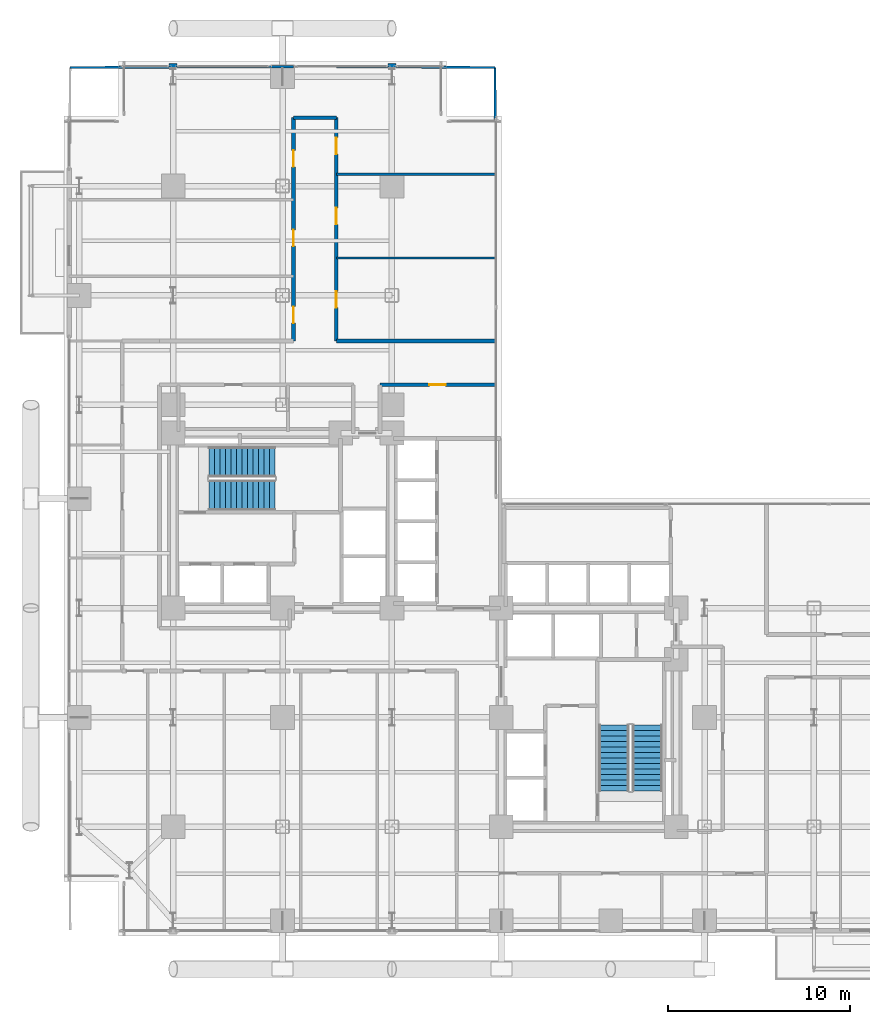
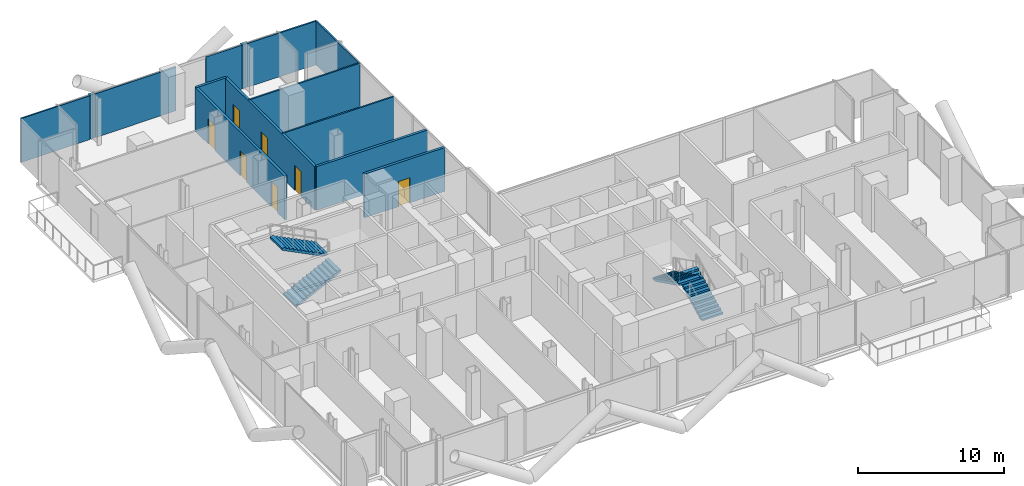
# One storey, part 24 of 27: 14 walls, 7 doors, 4 stair flights, 7 openings, 2 elements without a shape of their own.
"""IFC4 building model written with IfcOpenShell, lengths in metres."""

import ifcopenshell
import ifcopenshell.guid

model = None  # the IFC model being written
_history = None  # IfcOwnerHistory: only IFC2X3 demands one
_inside = {}  # id of a spatial element -> (the spatial element, [elements in it])
_under = {}  # id of a project, library or spatial element -> (it, [spatial elements below it])
_declared = {}  # id of a project -> (the project, [libraries it declares])
_typed = {}  # id of a type object -> (the type object, [elements of that type])
_made_of = {}  # id of a material, layer set ... -> (it, [elements and type objects made of it])


def new_model(schema):
    """Start an empty IFC model of exactly this schema.

    Asked for "IFC4X3", IfcOpenShell would pick the latest addendum, in which some entities
    have other attributes; the version numbers below select the first issue.
    IFC2X3 requires an IfcOwnerHistory on every rooted entity: one is made here for all.
    """
    global model, _history
    if schema == "IFC4X3":
        model = ifcopenshell.file(schema_version=(4, 3, 0, 0))
    else:
        model = ifcopenshell.file(schema=schema)
    _inside.clear()
    _under.clear()
    _declared.clear()
    _typed.clear()
    _made_of.clear()
    _history = None
    if model.schema == "IFC2X3":
        org = make("IfcOrganization", Name="unknown")
        user = make(
            "IfcPersonAndOrganization",
            ThePerson=make("IfcPerson", FamilyName="unknown"),
            TheOrganization=org,
        )
        app = make(
            "IfcApplication",
            ApplicationDeveloper=org,
            Version="unknown",
            ApplicationFullName="unknown",
            ApplicationIdentifier="unknown",
        )
        _history = make(
            "IfcOwnerHistory",
            OwningUser=user,
            OwningApplication=app,
            ChangeAction="ADDED",
            CreationDate=0,
        )
    return model


def make(cls, **values):
    """One entity of the class cls with the attributes given. An attribute that is None is left unset."""
    return model.create_entity(
        cls, **{name: value for name, value in values.items() if value is not None}
    )


def rooted(cls, **values):
    """An entity with a GlobalId (a new one), such as an element, a storey or a relation."""
    return make(cls, GlobalId=ifcopenshell.guid.new(), OwnerHistory=_history, **values)


def si_unit(unit_type, name, prefix=None):
    """IfcSIUnit, for example si_unit("LENGTHUNIT", "METRE", prefix="MILLI")."""
    return make("IfcSIUnit", UnitType=unit_type, Prefix=prefix, Name=name)


def assignment(units):
    """IfcUnitAssignment: the units of a project."""
    return None if units is None else make("IfcUnitAssignment", Units=units)


def point(xyz):
    """IfcCartesianPoint."""
    return None if xyz is None else make("IfcCartesianPoint", Coordinates=xyz)


def direction(xyz):
    """IfcDirection."""
    return None if xyz is None else make("IfcDirection", DirectionRatios=xyz)


def frame(location, z_axis=None, x_axis=None):
    """IfcAxis2Placement3D, a coordinate frame: its origin and axes. An axis left out is left unset."""
    return make(
        "IfcAxis2Placement3D",
        Location=point(location),
        Axis=direction(z_axis),
        RefDirection=direction(x_axis),
    )


def frame_2d(location, x_axis=None):
    """IfcAxis2Placement2D, a coordinate frame in the plane: its origin and x axis."""
    return make(
        "IfcAxis2Placement2D", Location=point(location), RefDirection=direction(x_axis)
    )


def origin():
    """The frame at (0, 0, 0) with its axes left unset."""
    return frame((0.0, 0.0, 0.0))


def place(relative_to, where):
    """IfcLocalPlacement: puts the frame where relative to a parent placement (None: the world)."""
    return make(
        "IfcLocalPlacement", PlacementRelTo=relative_to, RelativePlacement=where
    )


def context(
    kind, dimensions, precision=None, world=None, true_north=None, identifier=None
):
    """IfcGeometricRepresentationContext, for example the 3D "Model" context."""
    return make(
        "IfcGeometricRepresentationContext",
        ContextIdentifier=identifier,
        ContextType=kind,
        CoordinateSpaceDimension=dimensions,
        Precision=precision,
        WorldCoordinateSystem=world,
        TrueNorth=true_north,
    )


def subcontext(parent, identifier, kind, view, scale=None):
    """IfcGeometricRepresentationSubContext, for example "Body" below "Model"."""
    return make(
        "IfcGeometricRepresentationSubContext",
        ContextIdentifier=identifier,
        ContextType=kind,
        ParentContext=parent,
        TargetScale=scale,
        TargetView=view,
    )


def project(units=None, contexts=None):
    """IfcProject with its units and contexts."""
    return rooted(
        "IfcProject",
        Name="project",
        RepresentationContexts=contexts,
        UnitsInContext=assignment(units),
    )


def spatial(cls, under=None, at=None, **own):
    """A site, building, storey or space (cls), placed at a placement, below another one or the project."""
    s = rooted(cls, ObjectPlacement=at, **own)
    if under is not None:
        _under.setdefault(under.id(), (under, []))[1].append(s)
    return s


def polyline(points):
    """IfcPolyline through the points."""
    return make("IfcPolyline", Points=[point(p) for p in points])


def profile(cls, at=None, kind="AREA", **sizes):
    """A parametric profile (cls). Its sizes go by their IFC names, for example OverallWidth=200.0."""
    return make(cls, ProfileType=kind, Position=at, **sizes)


def rectangle(**sizes):
    """IfcRectangleProfileDef."""
    return profile("IfcRectangleProfileDef", **sizes)


def outline(outer, holes=None, kind="AREA"):
    """IfcArbitraryClosedProfileDef: a profile drawn as a closed curve; with holes, ...WithVoids."""
    if holes is None:
        return make("IfcArbitraryClosedProfileDef", ProfileType=kind, OuterCurve=outer)
    return make(
        "IfcArbitraryProfileDefWithVoids",
        ProfileType=kind,
        OuterCurve=outer,
        InnerCurves=holes,
    )


def extrude(swept, where, along, depth):
    """IfcExtrudedAreaSolid: the profile swept, set in the frame where, extruded along a direction by depth."""
    return make(
        "IfcExtrudedAreaSolid",
        SweptArea=swept,
        Position=where,
        ExtrudedDirection=direction(along),
        Depth=depth,
    )


def shape(context_of_items, identifier, shape_type, items):
    """IfcShapeRepresentation: the items that make up one representation, for example the "Body"."""
    return make(
        "IfcShapeRepresentation",
        ContextOfItems=context_of_items,
        RepresentationIdentifier=identifier,
        RepresentationType=shape_type,
        Items=items,
    )


def material(Name=None, Category=None):
    """IfcMaterial."""
    return make("IfcMaterial", Name=Name, Category=Category)


def layer(
    of_material, thickness, ventilated=None, Name=None, Category=None, Priority=None
):
    """IfcMaterialLayer: one layer of a wall or slab, of a material (None: an air gap)."""
    return make(
        "IfcMaterialLayer",
        Material=of_material,
        LayerThickness=thickness,
        IsVentilated=ventilated,
        Name=Name,
        Category=Category,
        Priority=Priority,
    )


def layer_set(layers, Name=None):
    """IfcMaterialLayerSet."""
    return make("IfcMaterialLayerSet", MaterialLayers=layers, LayerSetName=Name)


def made_of(thing, what):
    """Note that an element or type object is made of a material, layer set ...; save() writes the relation."""
    if what is not None:
        _made_of.setdefault(what.id(), (what, []))[1].append(thing)
    return thing


def type_object(cls, material=None, **own):
    """A type object (cls), such as IfcWallType, which elements share."""
    return made_of(rooted(cls, **own), material)


def element(
    cls,
    number,
    at=None,
    inside=None,
    cuts=None,
    type_object=None,
    material=None,
    context=None,
    identifier="Body",
    shape_type=None,
    held_by="IfcProductDefinitionShape",
    body=None,
    shapes=None,
    **own,
):
    """One element of the class cls, such as IfcWall. Its Tag is "e" and its number.

    at: its placement. inside: the storey or other place that contains it. cuts: it is an
    opening in that element (IfcRelVoidsElement). A single representation is given by context,
    identifier, shape_type and body (its items); several are given by shapes. held_by: the class
    of the entity that holds the representations. save() writes the other relations.
    """
    e = rooted(cls, Tag="e%d" % number, ObjectPlacement=at, **own)
    if body is not None:
        shapes = [shape(context, identifier, shape_type, body)]
    if shapes is not None:
        e.Representation = make(held_by, Representations=shapes)
    if inside is not None:
        _inside.setdefault(inside.id(), (inside, []))[1].append(e)
    if cuts is not None:
        rooted(
            "IfcRelVoidsElement", RelatingBuildingElement=cuts, RelatedOpeningElement=e
        )
    if type_object is not None:
        _typed.setdefault(type_object.id(), (type_object, []))[1].append(e)
    return made_of(e, material)


def fill(opening, filler):
    """IfcRelFillsElement: the door or window that sits in an opening."""
    return rooted(
        "IfcRelFillsElement",
        RelatingOpeningElement=opening,
        RelatedBuildingElement=filler,
    )


def aggregate(whole, parts):
    """IfcRelAggregates: a whole, such as a stair, and the parts it consists of."""
    return rooted("IfcRelAggregates", RelatingObject=whole, RelatedObjects=parts)


def save(model, path):
    """Write the relations noted so far, then the file.

    IfcRelAggregates (storeys below a building ...), IfcRelContainedInSpatialStructure (elements
    in a storey), IfcRelDefinesByType, IfcRelAssociatesMaterial and IfcRelDeclares: one each for
    every whole, place, type object, material and project.
    """
    for whole, parts in _under.values():
        aggregate(whole, parts)
    for where, things in _inside.values():
        rooted(
            "IfcRelContainedInSpatialStructure",
            RelatedElements=things,
            RelatingStructure=where,
        )
    for kind, things in _typed.values():
        rooted("IfcRelDefinesByType", RelatedObjects=things, RelatingType=kind)
    for what, things in _made_of.values():
        rooted("IfcRelAssociatesMaterial", RelatedObjects=things, RelatingMaterial=what)
    for by, libraries in _declared.values():
        rooted("IfcRelDeclares", RelatingContext=by, RelatedDefinitions=libraries)
    model.write(path)


model = new_model("IFC4")

# Units and contexts
model_context = context("Model", 3, precision=1e-05, world=origin(), true_north=direction((0.0, 1.0)))
body_context = subcontext(model_context, "Body", "Model", "MODEL_VIEW")
ifc_project = project(units=[si_unit("LENGTHUNIT", "METRE"), si_unit("AREAUNIT", "SQUARE_METRE"), si_unit("VOLUMEUNIT", "CUBIC_METRE"), si_unit("PLANEANGLEUNIT", "RADIAN"), si_unit("MASSUNIT", "GRAM", prefix="KILO"), si_unit("THERMODYNAMICTEMPERATUREUNIT", "KELVIN"), si_unit("POWERUNIT", "WATT")], contexts=[model_context])

# Site, building, storey
site_placement = place(None, origin())
site = spatial("IfcSite", under=ifc_project, at=site_placement, CompositionType="ELEMENT")
building_placement = place(site_placement, origin())
building = spatial("IfcBuilding", under=site, at=building_placement, Name="Svarakhadi Broadcast Tower", CompositionType="ELEMENT")
storey_placement = place(building_placement, frame((0.0, 0.0, 44.10009765625)))
storey = spatial("IfcBuildingStorey", under=building, at=storey_placement, Name="L09", CompositionType="ELEMENT", Elevation=44.10009765625)

# Wall, openings, doors
ifc_material_1 = material(Name="Double-Stud Acoustic Studio Partition STC-62", Category="gypsum")
ifc_layer_1 = layer(ifc_material_1, 0.199951171875)
ifc_layer_set_1 = layer_set([ifc_layer_1], Name="Double-Stud Acoustic Studio Partition STC-62")
wall_type_1 = type_object("IfcWallType", Name="Wall_Acoust_200", PredefinedType="PARTITIONING", material=ifc_layer_set_1)
wall_1_placement = place(storey_placement, frame((12.60009765625, 32.64990234375, 0.0), z_axis=(0.0, 0.0, 1.0), x_axis=(0.0, 1.0, 0.0)))
wall_1 = element("IfcWall", 1, at=wall_1_placement, inside=storey, type_object=wall_type_1, Name="L09 Broadcast Corridor Wall", PredefinedType="PARTITIONING", context=body_context, shape_type="SweptSolid", body=[
    extrude(rectangle(XDim=12.25, YDim=0.199951171875, at=frame_2d((6.125, 0.0))), origin(), (0.0, 0.0, 1.0), 3.64990234375),
])
opening_1_placement = place(wall_1_placement, frame((0.97998046875, 0.0, 0.0)))
opening_1 = element("IfcOpeningElement", 2, at=opening_1_placement, cuts=wall_1, Name="Opening D-14", PredefinedType="OPENING", context=body_context, shape_type="SweptSolid", body=[
    extrude(rectangle(XDim=0.89990234375, YDim=2.10009765625, at=frame_2d((0.449951171875, 1.050048828125))), frame((0.0, 0.10986328125, 0.0), z_axis=(0.0, -1.0, 0.0), x_axis=(1.0, 0.0, 0.0)), (0.0, 0.0, 1.0), 0.219970703125),
])
opening_2_placement = place(wall_1_placement, frame((5.199951171875, 0.0, 0.0)))
opening_2 = element("IfcOpeningElement", 3, at=opening_2_placement, cuts=wall_1, Name="Opening D-14", PredefinedType="OPENING", context=body_context, shape_type="SweptSolid", body=[
    extrude(rectangle(XDim=0.89990234375, YDim=2.10009765625, at=frame_2d((0.449951171875, 1.050048828125))), frame((0.0, 0.10986328125, 0.0), z_axis=(0.0, -1.0, 0.0), x_axis=(1.0, 0.0, 0.0)), (0.0, 0.0, 1.0), 0.219970703125),
])
opening_3_placement = place(wall_1_placement, frame((9.550048828125, 0.0, 0.0)))
opening_3 = element("IfcOpeningElement", 4, at=opening_3_placement, cuts=wall_1, Name="Opening D-15", PredefinedType="OPENING", context=body_context, shape_type="SweptSolid", body=[
    extrude(rectangle(XDim=0.89990234375, YDim=2.10009765625, at=frame_2d((0.449951171875, 1.050048828125))), frame((0.0, 0.10986328125, 0.0), z_axis=(0.0, -1.0, 0.0), x_axis=(1.0, 0.0, 0.0)), (0.0, 0.0, 1.0), 0.219970703125),
])
ifc_material_2 = material(Name="Solid-Core Teak Veneer Acoustic Timber Leaf", Category="wood")
door_type_1 = type_object("IfcDoorType", Name="Door_Int_D14", OperationType="SINGLE_SWING_LEFT", PredefinedType="DOOR", material=ifc_material_2)
door_1_placement = place(opening_1_placement, origin())
door_1 = element("IfcDoor", 5, at=door_1_placement, inside=storey, type_object=door_type_1, Name="L09 Sound Foley Room Door", OperationType="SINGLE_SWING_LEFT", OverallHeight=2.10009765625, OverallWidth=0.89990234375, PredefinedType="DOOR", context=body_context, shape_type="SweptSolid", body=[
    extrude(rectangle(XDim=0.89990234375, YDim=2.10009765625, at=frame_2d((0.449951171875, 1.050048828125))), frame((0.0, 0.02490234375, 0.0), z_axis=(0.0, -1.0, 0.0), x_axis=(1.0, 0.0, 0.0)), (0.0, 0.0, 1.0), 0.050048828125),
])
fill(opening_1, door_1)
door_2_placement = place(opening_2_placement, origin())
door_2 = element("IfcDoor", 6, at=door_2_placement, inside=storey, type_object=door_type_1, Name="L09 ADR Vocal Room Door", OperationType="SINGLE_SWING_LEFT", OverallHeight=2.10009765625, OverallWidth=0.89990234375, PredefinedType="DOOR", context=body_context, shape_type="SweptSolid", body=[
    extrude(rectangle(XDim=0.89990234375, YDim=2.10009765625, at=frame_2d((0.449951171875, 1.050048828125))), frame((0.0, 0.02490234375, 0.0), z_axis=(0.0, -1.0, 0.0), x_axis=(1.0, 0.0, 0.0)), (0.0, 0.0, 1.0), 0.050048828125),
])
fill(opening_2, door_2)
door_type_2 = type_object("IfcDoorType", Name="Door_Int_D15", OperationType="SINGLE_SWING_RIGHT", PredefinedType="DOOR", material=ifc_material_2)
door_3_placement = place(opening_3_placement, origin())
door_3 = element("IfcDoor", 7, at=door_3_placement, inside=storey, type_object=door_type_2, Name="L09 Mastering Studio Door", OperationType="SINGLE_SWING_RIGHT", OverallHeight=2.10009765625, OverallWidth=0.89990234375, PredefinedType="DOOR", context=body_context, shape_type="SweptSolid", body=[
    extrude(rectangle(XDim=0.89990234375, YDim=2.10009765625, at=frame_2d((0.449951171875, 1.050048828125))), frame((0.0, 0.02490234375, 0.0), z_axis=(0.0, -1.0, 0.0), x_axis=(1.0, 0.0, 0.0)), (0.0, 0.0, 1.0), 0.050048828125),
])
fill(opening_3, door_3)

# Wall
wall_2_placement = place(storey_placement, frame((12.60009765625, 44.89990234375, 0.0), z_axis=(0.0, 0.0, 1.0), x_axis=(1.0, 0.0, 0.0)))
element("IfcWall", 8, at=wall_2_placement, inside=storey, type_object=wall_type_1, Name="L09 Broadcast Corridor Wall", PredefinedType="PARTITIONING", context=body_context, shape_type="SweptSolid", body=[
    extrude(rectangle(XDim=2.349853515625, YDim=0.199951171875, at=frame_2d((1.1748046875, 0.0))), origin(), (0.0, 0.0, 1.0), 3.64990234375),
])

# Wall, openings, doors
wall_3_placement = place(storey_placement, frame((14.949951171875, 44.89990234375, 0.0), z_axis=(0.0, 0.0, 1.0), x_axis=(0.0, -1.0, 0.0)))
wall_3 = element("IfcWall", 9, at=wall_3_placement, inside=storey, type_object=wall_type_1, Name="L09 Broadcast Corridor Wall", PredefinedType="PARTITIONING", context=body_context, shape_type="SweptSolid", body=[
    extrude(rectangle(XDim=12.25, YDim=0.199951171875, at=frame_2d((6.125, 0.0))), origin(), (0.0, 0.0, 1.0), 3.64990234375),
])
opening_4_placement = place(wall_3_placement, frame((9.52490234375, 0.0, 0.0)))
opening_4 = element("IfcOpeningElement", 10, at=opening_4_placement, cuts=wall_3, Name="Opening D-14", PredefinedType="OPENING", context=body_context, shape_type="SweptSolid", body=[
    extrude(rectangle(XDim=0.89990234375, YDim=2.10009765625, at=frame_2d((0.449951171875, 1.050048828125))), frame((0.0, 0.10986328125, 0.0), z_axis=(0.0, -1.0, 0.0), x_axis=(1.0, 0.0, 0.0)), (0.0, 0.0, 1.0), 0.219970703125),
])
opening_5_placement = place(wall_3_placement, frame((4.949951171875, 0.0, 0.0)))
opening_5 = element("IfcOpeningElement", 11, at=opening_5_placement, cuts=wall_3, Name="Opening D-15", PredefinedType="OPENING", context=body_context, shape_type="SweptSolid", body=[
    extrude(rectangle(XDim=0.89990234375, YDim=2.10009765625, at=frame_2d((0.449951171875, 1.050048828125))), frame((0.0, 0.10986328125, 0.0), z_axis=(0.0, -1.0, 0.0), x_axis=(1.0, 0.0, 0.0)), (0.0, 0.0, 1.0), 0.219970703125),
])
opening_6_placement = place(wall_3_placement, frame((1.10009765625, 0.0, 0.0)))
opening_6 = element("IfcOpeningElement", 12, at=opening_6_placement, cuts=wall_3, Name="Opening D-14", PredefinedType="OPENING", context=body_context, shape_type="SweptSolid", body=[
    extrude(rectangle(XDim=0.89990234375, YDim=2.10009765625, at=frame_2d((0.449951171875, 1.050048828125))), frame((0.0, 0.10986328125, 0.0), z_axis=(0.0, -1.0, 0.0), x_axis=(1.0, 0.0, 0.0)), (0.0, 0.0, 1.0), 0.219970703125),
])
door_4_placement = place(opening_4_placement, origin())
door_4 = element("IfcDoor", 13, at=door_4_placement, inside=storey, type_object=door_type_1, Name="L09 Producer Edit Room Door", OperationType="SINGLE_SWING_LEFT", OverallHeight=2.10009765625, OverallWidth=0.89990234375, PredefinedType="DOOR", context=body_context, shape_type="SweptSolid", body=[
    extrude(rectangle(XDim=0.89990234375, YDim=2.10009765625, at=frame_2d((0.449951171875, 1.050048828125))), frame((0.0, 0.02490234375, 0.0), z_axis=(0.0, -1.0, 0.0), x_axis=(1.0, 0.0, 0.0)), (0.0, 0.0, 1.0), 0.050048828125),
])
fill(opening_4, door_4)
door_5_placement = place(opening_6_placement, origin())
door_5 = element("IfcDoor", 14, at=door_5_placement, inside=storey, type_object=door_type_1, Name="L09 Pantry Door", OperationType="SINGLE_SWING_LEFT", OverallHeight=2.10009765625, OverallWidth=0.89990234375, PredefinedType="DOOR", context=body_context, shape_type="SweptSolid", body=[
    extrude(rectangle(XDim=0.89990234375, YDim=2.10009765625, at=frame_2d((0.449951171875, 1.050048828125))), frame((0.0, 0.02490234375, 0.0), z_axis=(0.0, -1.0, 0.0), x_axis=(1.0, 0.0, 0.0)), (0.0, 0.0, 1.0), 0.050048828125),
])
fill(opening_6, door_5)
door_6_placement = place(opening_5_placement, origin())
door_6 = element("IfcDoor", 15, at=door_6_placement, inside=storey, type_object=door_type_2, Name="L09 Client Lounge Door", OperationType="SINGLE_SWING_RIGHT", OverallHeight=2.10009765625, OverallWidth=0.89990234375, PredefinedType="DOOR", context=body_context, shape_type="SweptSolid", body=[
    extrude(rectangle(XDim=0.89990234375, YDim=2.10009765625, at=frame_2d((0.449951171875, 1.050048828125))), frame((0.0, 0.02490234375, 0.0), z_axis=(0.0, -1.0, 0.0), x_axis=(1.0, 0.0, 0.0)), (0.0, 0.0, 1.0), 0.050048828125),
])
fill(opening_5, door_6)

# Wall
wall_4_placement = place(storey_placement, frame((14.949951171875, 32.64990234375, 0.0), z_axis=(0.0, 0.0, 1.0), x_axis=(1.0, 0.0, 0.0)))
element("IfcWall", 16, at=wall_4_placement, inside=storey, type_object=wall_type_1, Name="L09 Broadcast Corridor Wall", PredefinedType="PARTITIONING", context=body_context, shape_type="SweptSolid", body=[
    extrude(rectangle(XDim=8.75, YDim=0.199951171875, at=frame_2d((4.375, 0.0))), origin(), (0.0, 0.0, 1.0), 3.64990234375),
])

# Wall, opening, door
wall_5_placement = place(storey_placement, frame((23.699951171875, 30.25, 0.0), z_axis=(0.0, 0.0, 1.0), x_axis=(-1.0, 0.0, 0.0)))
wall_5 = element("IfcWall", 17, at=wall_5_placement, inside=storey, type_object=wall_type_1, Name="L09 Broadcast Corridor Wall", PredefinedType="PARTITIONING", context=body_context, shape_type="SweptSolid", body=[
    extrude(rectangle(XDim=6.349853515625, YDim=0.199951171875, at=frame_2d((3.1748046875, 0.0))), origin(), (0.0, 0.0, 1.0), 3.64990234375),
])
opening_7_placement = place(wall_5_placement, frame((2.75, 0.0, 0.0)))
opening_7 = element("IfcOpeningElement", 18, at=opening_7_placement, cuts=wall_5, Name="Opening D-15", PredefinedType="OPENING", context=body_context, shape_type="SweptSolid", body=[
    extrude(rectangle(XDim=0.89990234375, YDim=2.10009765625, at=frame_2d((0.449951171875, 1.050048828125))), frame((0.0, 0.10986328125, 0.0), z_axis=(0.0, -1.0, 0.0), x_axis=(1.0, 0.0, 0.0)), (0.0, 0.0, 1.0), 0.219970703125),
])
door_7_placement = place(opening_7_placement, origin())
door_7 = element("IfcDoor", 19, at=door_7_placement, inside=storey, type_object=door_type_2, Name="L09 Production Continuity Office Door", OperationType="SINGLE_SWING_RIGHT", OverallHeight=2.10009765625, OverallWidth=0.89990234375, PredefinedType="DOOR", context=body_context, shape_type="SweptSolid", body=[
    extrude(rectangle(XDim=0.89990234375, YDim=2.10009765625, at=frame_2d((0.449951171875, 1.050048828125))), frame((0.0, 0.02490234375, 0.0), z_axis=(0.0, -1.0, 0.0), x_axis=(1.0, 0.0, 0.0)), (0.0, 0.0, 1.0), 0.050048828125),
])
fill(opening_7, door_7)

# Walls
ifc_material_3 = material(Name="Concrete C40/50 (IS 456 M50)", Category="concrete")
ifc_layer_2 = layer(ifc_material_3, 0.239990234375)
ifc_layer_set_2 = layer_set([ifc_layer_2], Name="Concrete C40/50 (IS 456 M50)")
wall_type_2 = type_object("IfcWallType", Name="Wall_Ext_240", PredefinedType="SOLIDWALL", material=ifc_layer_set_2)
for number, where, z_axis, x_axis, name in (
    (20, (5.784912109375, 47.760009765625, 0.0), (0.0, 0.0, 1.0), (1.0, 0.0, 0.0), "L09 Perimeter Bronze Spandrel Closure Wall 01"),
    (21, (17.784912109375, 47.760009765625, 0.0), (0.0, 0.0, 1.0), (1.0, 0.0, 0.0), "L09 Perimeter Bronze Spandrel Closure Wall 02"),
):
    element("IfcWall", number, at=place(storey_placement, frame(where, z_axis=z_axis, x_axis=x_axis)), inside=storey, type_object=wall_type_2, Name=name, PredefinedType="SOLIDWALL", context=body_context, shape_type="SweptSolid", body=[
        extrude(rectangle(XDim=0.43017578125, YDim=0.239990234375, at=frame_2d((0.215087890625, 0.0))), origin(), (0.0, 0.0, 1.0), 3.64990234375),
    ])
ifc_material_4 = material(Name="Fire-Rated Moisture-Resistant Gypsum Board Partition", Category="gypsum")
ifc_layer_3 = layer(ifc_material_4, 0.125)
ifc_layer_set_3 = layer_set([ifc_layer_3], Name="Fire-Rated Moisture-Resistant Gypsum Board Partition")
wall_type_3 = type_object("IfcWallType", Name="Wall_Part_125", PredefinedType="PARTITIONING", material=ifc_layer_set_3)
wall_6_placement = place(storey_placement, frame((0.35009765625, 47.64990234375, 0.0), z_axis=(0.0, 0.0, 1.0), x_axis=(0.999991644778, 0.004087832518, 0.0)))
element("IfcWall", 22, at=wall_6_placement, inside=storey, type_object=wall_type_3, Name="L09 Mastering Studio Wall", PredefinedType="PARTITIONING", context=body_context, shape_type="SweptSolid", body=[
    extrude(rectangle(XDim=5.434814453125, YDim=0.125, at=frame_2d((2.71728515625, 0.0))), origin(), (0.0, 0.0, 1.0), 3.64990234375),
])
wall_7_placement = place(storey_placement, frame((6.215087890625, 47.673828125, 0.0), z_axis=(0.0, 0.0, 1.0), x_axis=(0.999991630701, 0.004091274595, 0.0)))
element("IfcWall", 23, at=wall_7_placement, inside=storey, type_object=wall_type_3, Name="L09 Mastering Studio Wall", PredefinedType="PARTITIONING", context=body_context, shape_type="SweptSolid", body=[
    extrude(rectangle(XDim=6.385009765625, YDim=0.125, at=frame_2d((3.1923828125, 0.0))), origin(), (0.0, 0.0, 1.0), 3.64990234375),
])
for number, where, z_axis, x_axis, name in (
    (24, (14.949951171875, 37.199951171875, 0.0), (0.0, 0.0, 1.0), (1.0, 0.0, 0.0), "L09 Producer Edit Room Wall"),
    (25, (14.949951171875, 41.800048828125, 0.0), (0.0, 0.0, 1.0), (1.0, 0.0, 0.0), "L09 Client Lounge Wall"),
):
    element("IfcWall", number, at=place(storey_placement, frame(where, z_axis=z_axis, x_axis=x_axis)), inside=storey, type_object=wall_type_3, Name=name, PredefinedType="PARTITIONING", context=body_context, shape_type="SweptSolid", body=[
        extrude(rectangle(XDim=8.75, YDim=0.125, at=frame_2d((4.375, 0.0))), origin(), (0.0, 0.0, 1.0), 3.64990234375),
    ])
wall_8_placement = place(storey_placement, frame((14.949951171875, 47.699951171875, 0.0), z_axis=(0.0, 0.0, 1.0), x_axis=(0.999983354582, -0.005769797172, 0.0)))
element("IfcWall", 26, at=wall_8_placement, inside=storey, type_object=wall_type_3, Name="L09 Pantry Wall", PredefinedType="PARTITIONING", context=body_context, shape_type="SweptSolid", body=[
    extrude(rectangle(XDim=2.8349609375, YDim=0.125, at=frame_2d((1.41748046875, 0.0))), origin(), (0.0, 0.0, 1.0), 3.64990234375),
])
wall_9_placement = place(storey_placement, frame((18.215087890625, 47.68115234375, 0.0), z_axis=(0.0, 0.0, 1.0), x_axis=(0.999983469354, -0.005749871258, 0.0)))
element("IfcWall", 27, at=wall_9_placement, inside=storey, type_object=wall_type_3, Name="L09 Pantry Wall", PredefinedType="PARTITIONING", context=body_context, shape_type="SweptSolid", body=[
    extrude(rectangle(XDim=5.434814453125, YDim=0.125, at=frame_2d((2.71728515625, 0.0))), origin(), (0.0, 0.0, 1.0), 3.64990234375),
])
wall_10_placement = place(storey_placement, frame((23.699951171875, 41.800048828125, 0.0), z_axis=(0.0, 0.0, 1.0), x_axis=(-0.00855525636, 0.999963403125, 0.0)))
element("IfcWall", 28, at=wall_10_placement, inside=storey, type_object=wall_type_3, Name="L09 Pantry Wall", PredefinedType="PARTITIONING", context=body_context, shape_type="SweptSolid", body=[
    extrude(rectangle(XDim=5.85009765625, YDim=0.125, at=frame_2d((2.925048828125, 0.0))), origin(), (0.0, 0.0, 1.0), 3.64990234375),
])

# Stair, stair flights
stair_type = type_object("IfcStairType", Name="Stair_Exit_Core", PredefinedType="HALF_TURN_STAIR", material=ifc_material_3)
stair_1_placement = place(storey_placement, origin())
stair_1 = element("IfcStair", 29, at=stair_1_placement, inside=storey, type_object=stair_type, Name="L09 West Core Protected Exit Stair ST-01", PredefinedType="HALF_TURN_STAIR")
stair_flight_type = type_object("IfcStairFlightType", Name="Flight_RC_1680", PredefinedType="STRAIGHT", material=ifc_material_3)
stair_flight_1_placement = place(storey_placement, frame((7.97998046875, 24.18994140625, 0.0), z_axis=(0.0, 0.0, 1.0), x_axis=(1.0, 0.0, 0.0)))
stair_flight_1 = element("IfcStairFlight", 30, at=stair_flight_1_placement, type_object=stair_flight_type, Name="ST-01 flight 1", NumberOfRisers=13, NumberOfTreads=12, PredefinedType="STRAIGHT", RiserHeight=0.15, TreadLength=0.3, context=body_context, shape_type="SweptSolid", body=[
    extrude(outline(polyline([(0.0, 0.0), (0.0, 0.14990234375), (0.300048828125, 0.14990234375), (0.300048828125, 0.300048828125), (0.60009765625, 0.300048828125), (0.60009765625, 0.449951171875), (0.89990234375, 0.449951171875), (0.89990234375, 0.60009765625), (1.199951171875, 0.60009765625), (1.199951171875, 0.75), (1.5, 0.75), (1.5, 0.89990234375), (1.800048828125, 0.89990234375), (1.800048828125, 1.050048828125), (2.10009765625, 1.050048828125), (2.10009765625, 1.199951171875), (2.39990234375, 1.199951171875), (2.39990234375, 1.35009765625), (2.699951171875, 1.35009765625), (2.699951171875, 1.5), (3.0, 1.5), (3.0, 1.64990234375), (3.300048828125, 1.64990234375), (3.300048828125, 1.800048828125), (3.60009765625, 1.800048828125), (3.60009765625, 1.949951171875), (3.60009765625, 1.63232421875), (0.335205078125, 0.0), (0.0, 0.0)])), frame((0.0, 0.830078125, 0.0), z_axis=(0.0, -1.0, 0.0), x_axis=(1.0, 0.0, 0.0)), (0.0, 0.0, 1.0), 1.659912109375),
])
stair_flight_2_placement = place(storey_placement, frame((11.580078125, 26.010009765625, 1.949951171875), z_axis=(0.0, 0.0, 1.0), x_axis=(-1.0, 0.0, 0.0)))
stair_flight_2 = element("IfcStairFlight", 31, at=stair_flight_2_placement, type_object=stair_flight_type, Name="ST-01 flight 2", NumberOfRisers=13, NumberOfTreads=12, PredefinedType="STRAIGHT", RiserHeight=0.15, TreadLength=0.3, context=body_context, shape_type="SweptSolid", body=[
    extrude(outline(polyline([(0.0, 0.0), (0.0, 0.14990234375), (0.300048828125, 0.14990234375), (0.300048828125, 0.300048828125), (0.60009765625, 0.300048828125), (0.60009765625, 0.449951171875), (0.89990234375, 0.449951171875), (0.89990234375, 0.60009765625), (1.199951171875, 0.60009765625), (1.199951171875, 0.75), (1.5, 0.75), (1.5, 0.89990234375), (1.800048828125, 0.89990234375), (1.800048828125, 1.050048828125), (2.10009765625, 1.050048828125), (2.10009765625, 1.199951171875), (2.39990234375, 1.199951171875), (2.39990234375, 1.35009765625), (2.699951171875, 1.35009765625), (2.699951171875, 1.5), (3.0, 1.5), (3.0, 1.64990234375), (3.300048828125, 1.64990234375), (3.300048828125, 1.800048828125), (3.60009765625, 1.800048828125), (3.60009765625, 1.949951171875), (3.60009765625, 1.63232421875), (0.335205078125, 0.0), (0.0, 0.0)])), frame((0.0, 0.830078125, 0.0), z_axis=(0.0, -1.0, 0.0), x_axis=(1.0, 0.0, 0.0)), (0.0, 0.0, 1.0), 1.659912109375),
])
aggregate(stair_1, [stair_flight_1, stair_flight_2])

stair_2_placement = place(storey_placement, origin())
stair_2 = element("IfcStair", 32, at=stair_2_placement, inside=storey, type_object=stair_type, Name="L09 East Core Protected Exit Stair ST-02", PredefinedType="HALF_TURN_STAIR")
stair_flight_3_placement = place(storey_placement, frame((32.010009765625, 7.97998046875, 0.0), z_axis=(0.0, 0.0, 1.0), x_axis=(0.0, 1.0, 0.0)))
stair_flight_3 = element("IfcStairFlight", 33, at=stair_flight_3_placement, type_object=stair_flight_type, Name="ST-02 flight 1", NumberOfRisers=13, NumberOfTreads=12, PredefinedType="STRAIGHT", RiserHeight=0.15, TreadLength=0.3, context=body_context, shape_type="SweptSolid", body=[
    extrude(outline(polyline([(0.0, 0.0), (0.0, 0.14990234375), (0.300048828125, 0.14990234375), (0.300048828125, 0.300048828125), (0.60009765625, 0.300048828125), (0.60009765625, 0.449951171875), (0.89990234375, 0.449951171875), (0.89990234375, 0.60009765625), (1.199951171875, 0.60009765625), (1.199951171875, 0.75), (1.5, 0.75), (1.5, 0.89990234375), (1.800048828125, 0.89990234375), (1.800048828125, 1.050048828125), (2.10009765625, 1.050048828125), (2.10009765625, 1.199951171875), (2.39990234375, 1.199951171875), (2.39990234375, 1.35009765625), (2.699951171875, 1.35009765625), (2.699951171875, 1.5), (3.0, 1.5), (3.0, 1.64990234375), (3.300048828125, 1.64990234375), (3.300048828125, 1.800048828125), (3.60009765625, 1.800048828125), (3.60009765625, 1.949951171875), (3.60009765625, 1.63232421875), (0.335205078125, 0.0), (0.0, 0.0)])), frame((0.0, 0.830078125, 0.0), z_axis=(0.0, -1.0, 0.0), x_axis=(1.0, 0.0, 0.0)), (0.0, 0.0, 1.0), 1.659912109375),
])
stair_flight_4_placement = place(storey_placement, frame((30.18994140625, 11.580078125, 1.949951171875), z_axis=(0.0, 0.0, 1.0), x_axis=(0.0, -1.0, 0.0)))
stair_flight_4 = element("IfcStairFlight", 34, at=stair_flight_4_placement, type_object=stair_flight_type, Name="ST-02 flight 2", NumberOfRisers=13, NumberOfTreads=12, PredefinedType="STRAIGHT", RiserHeight=0.15, TreadLength=0.3, context=body_context, shape_type="SweptSolid", body=[
    extrude(outline(polyline([(0.0, 0.0), (0.0, 0.14990234375), (0.300048828125, 0.14990234375), (0.300048828125, 0.300048828125), (0.60009765625, 0.300048828125), (0.60009765625, 0.449951171875), (0.89990234375, 0.449951171875), (0.89990234375, 0.60009765625), (1.199951171875, 0.60009765625), (1.199951171875, 0.75), (1.5, 0.75), (1.5, 0.89990234375), (1.800048828125, 0.89990234375), (1.800048828125, 1.050048828125), (2.10009765625, 1.050048828125), (2.10009765625, 1.199951171875), (2.39990234375, 1.199951171875), (2.39990234375, 1.35009765625), (2.699951171875, 1.35009765625), (2.699951171875, 1.5), (3.0, 1.5), (3.0, 1.64990234375), (3.300048828125, 1.64990234375), (3.300048828125, 1.800048828125), (3.60009765625, 1.800048828125), (3.60009765625, 1.949951171875), (3.60009765625, 1.63232421875), (0.335205078125, 0.0), (0.0, 0.0)])), frame((0.0, 0.830078125, 0.0), z_axis=(0.0, -1.0, 0.0), x_axis=(1.0, 0.0, 0.0)), (0.0, 0.0, 1.0), 1.659912109375),
])
aggregate(stair_2, [stair_flight_3, stair_flight_4])

save(model, "model.ifc")
